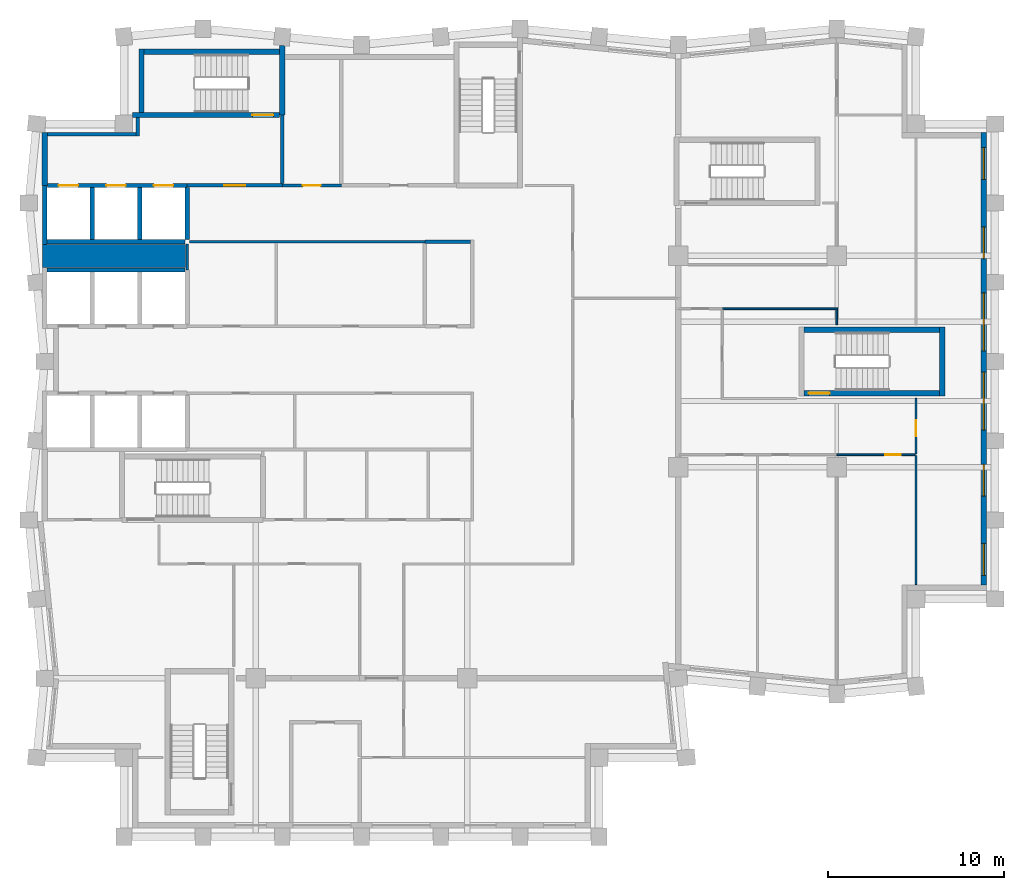
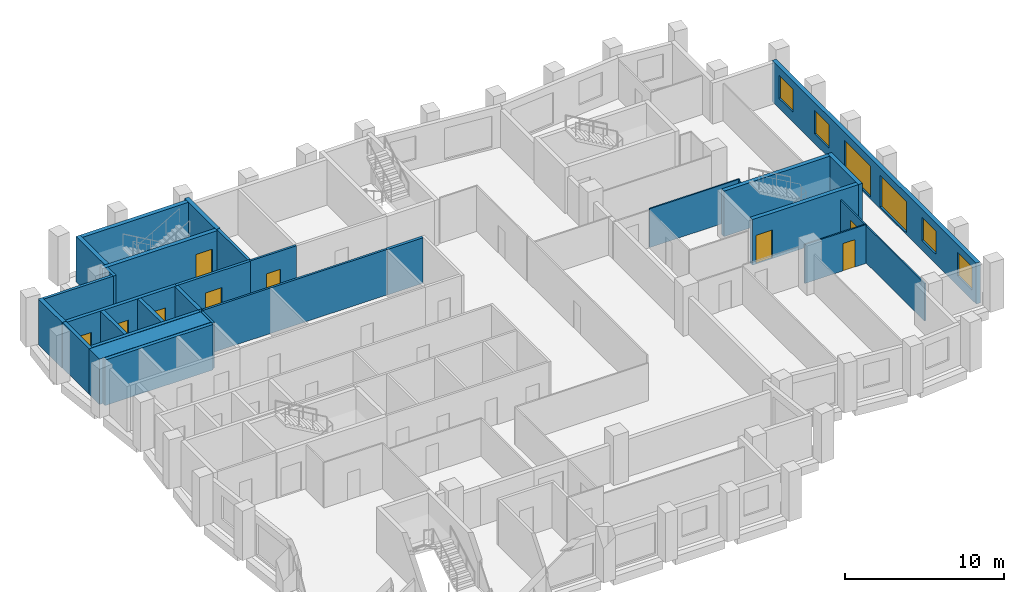
# One storey, part 5 of 8: 30 walls, 9 doors, 6 windows, 15 openings.
"""IFC4 building model written with IfcOpenShell, lengths in metres."""

from ifc_helpers import new_model, si_unit, direction, frame, frame_2d, origin, place, context, subcontext, project, spatial, rectangle, extrude, material, layer, layer_set, type_object, element, fill, save


model = new_model("IFC4")

# Units and contexts
model_context = context("Model", 3, precision=1e-05, world=origin(), true_north=direction((0.0, 1.0)))
body_context = subcontext(model_context, "Body", "Model", "MODEL_VIEW")
ifc_project = project(units=[si_unit("LENGTHUNIT", "METRE"), si_unit("AREAUNIT", "SQUARE_METRE"), si_unit("VOLUMEUNIT", "CUBIC_METRE"), si_unit("PLANEANGLEUNIT", "RADIAN"), si_unit("MASSUNIT", "GRAM", prefix="KILO")], contexts=[model_context])

# Site, building, storey
site_placement = place(None, origin())
site = spatial("IfcSite", under=ifc_project, at=site_placement, CompositionType="ELEMENT")
building_placement = place(site_placement, origin())
building = spatial("IfcBuilding", under=site, at=building_placement, Name="Brondeck Convention Tower", CompositionType="ELEMENT")
storey_placement = place(building_placement, frame((0.0, 0.0, 221.60009765625)))
storey = spatial("IfcBuildingStorey", under=building, at=storey_placement, Name="L54", CompositionType="ELEMENT", Elevation=221.60009765625)

# Walls
ifc_material_1 = material(Name="Concrete C50/60", Category="concrete")
ifc_layer_1 = layer(ifc_material_1, 0.300048828125)
ifc_layer_set_1 = layer_set([ifc_layer_1], Name="Core outer wall 300 Concrete C50/60")
wall_type_1 = type_object("IfcWallType", Name="Core outer wall 300 Concrete C50/60", PredefinedType="SHEAR", material=ifc_layer_set_1)
wall_1_placement = place(storey_placement, frame((0.0, 55.0, 0.0), z_axis=(0.0, 0.0, 1.0), x_axis=(0.0, 1.0, 0.0)))
element("IfcWall", 1, at=wall_1_placement, inside=storey, type_object=wall_type_1, Name="L54 core wall", PredefinedType="SHEAR", context=body_context, shape_type="SweptSolid", body=[
    extrude(rectangle(XDim=3.0, YDim=0.300048828125, at=frame_2d((1.5, 0.0))), origin(), (0.0, 0.0, 1.0), 3.5),
])
ifc_material_2 = material(Name="Fire-rated gypsum board partition")
ifc_layer_2 = layer(ifc_material_2, 0.14990234375)
ifc_layer_set_2 = layer_set([ifc_layer_2], Name="Core partition 150 EI 60")
wall_type_2 = type_object("IfcWallType", Name="Core partition 150 EI 60", PredefinedType="PARTITIONING", material=ifc_layer_set_2)
wall_2_placement = place(storey_placement, frame((8.22509765625, 51.800048828125, 0.0), z_axis=(0.0, 0.0, 1.0), x_axis=(1.0, 0.0, 0.0)))
element("IfcWall", 2, at=wall_2_placement, inside=storey, type_object=wall_type_2, Name="L54 core wall", PredefinedType="PARTITIONING", context=body_context, shape_type="SweptSolid", body=[
    extrude(rectangle(XDim=13.375, YDim=0.14990234375, at=frame_2d((6.6875, 0.0))), origin(), (0.0, 0.0, 1.0), 3.5),
])

# Wall, opening, door
wall_3_placement = place(storey_placement, frame((13.5, 55.0, 0.0), z_axis=(0.0, 0.0, 1.0), x_axis=(1.0, 0.0, 0.0)))
wall_3 = element("IfcWall", 3, at=wall_3_placement, inside=storey, type_object=wall_type_2, Name="L54 core wall", PredefinedType="PARTITIONING", context=body_context, shape_type="SweptSolid", body=[
    extrude(rectangle(XDim=3.35009765625, YDim=0.14990234375, at=frame_2d((1.675048828125, 0.0))), origin(), (0.0, 0.0, 1.0), 3.5),
])
opening_1_placement = place(wall_3_placement, frame((1.175048828125, 0.0, 0.0)))
opening_1 = element("IfcOpeningElement", 4, at=opening_1_placement, cuts=wall_3, Name="Opening C30-12", PredefinedType="OPENING", context=body_context, shape_type="SweptSolid", body=[
    extrude(rectangle(XDim=1.0, YDim=2.10009765625, at=frame_2d((0.5, 1.050048828125))), frame((0.0, 0.0849609375, 0.0), z_axis=(0.0, -1.0, 0.0), x_axis=(1.0, 0.0, 0.0)), (0.0, 0.0, 1.0), 0.169921875),
])
ifc_material_3 = material(Name="Steel fire door", Category="steel")
door_type_1 = type_object("IfcDoorType", Name="Room door 1000x2100 EI 60", OperationType="NOTDEFINED", PredefinedType="DOOR", material=ifc_material_3)
door_1_placement = place(opening_1_placement, origin())
door_1 = element("IfcDoor", 5, at=door_1_placement, inside=storey, type_object=door_type_1, Name="L54 Room door NE-1", OperationType="SINGLE_SWING_LEFT", OverallHeight=2.10009765625, OverallWidth=1.0, PredefinedType="DOOR", context=body_context, shape_type="SweptSolid", body=[
    extrude(rectangle(XDim=1.0, YDim=2.10009765625, at=frame_2d((0.5, 1.050048828125))), frame((0.0, 0.02490234375, 0.0), z_axis=(0.0, -1.0, 0.0), x_axis=(1.0, 0.0, 0.0)), (0.0, 0.0, 1.0), 0.050048828125),
])
fill(opening_1, door_1)

# Walls
wall_4_placement = place(storey_placement, frame((8.10009765625, 50.199951171875, 0.0), z_axis=(0.0, 0.0, 1.0), x_axis=(0.0, 1.0, 0.0)))
element("IfcWall", 6, at=wall_4_placement, inside=storey, type_object=wall_type_2, Name="L54 core wall", PredefinedType="PARTITIONING", context=body_context, shape_type="SweptSolid", body=[
    extrude(rectangle(XDim=1.47509765625, YDim=0.14990234375, at=frame_2d((0.737548828125, 0.0))), origin(), (0.0, 0.0, 1.0), 3.5),
])
ifc_layer_3 = layer(ifc_material_1, 1.300048828125)
ifc_layer_set_3 = layer_set([ifc_layer_3], Name="Core shear wall 1300 Concrete C50/60")
wall_type_3 = type_object("IfcWallType", Name="Core shear wall 1300 Concrete C50/60", PredefinedType="SHEAR", material=ifc_layer_set_3)
wall_5_placement = place(storey_placement, frame((-0.125, 51.0, 0.0), z_axis=(0.0, 0.0, 1.0), x_axis=(1.0, 0.0, 0.0)))
element("IfcWall", 7, at=wall_5_placement, inside=storey, type_object=wall_type_3, Name="L54 core wall", PredefinedType="SHEAR", context=body_context, shape_type="SweptSolid", body=[
    extrude(rectangle(XDim=8.125, YDim=1.300048828125, at=frame_2d((4.0625, 0.0))), origin(), (0.0, 0.0, 1.0), 3.5),
])

# Wall, openings, windows
ifc_material_4 = material(Name="Precast concrete C50/60 bronze finish", Category="concrete")
ifc_layer_4 = layer(ifc_material_4, 0.070068359375, Name="Bronze precast facing")
ifc_material_5 = material(Name="Mineral wool")
ifc_layer_5 = layer(ifc_material_5, 0.159912109375, Name="Insulation")
ifc_material_6 = material(Name="Concrete C35/45", Category="concrete")
ifc_layer_6 = layer(ifc_material_6, 0.070068359375, Name="Backing")
ifc_layer_set_4 = layer_set([ifc_layer_4, ifc_layer_5, ifc_layer_6], Name="External infill wall, precast concrete C50/60 bronze facing")
wall_type_4 = type_object("IfcWallType", Name="External infill wall, precast concrete C50/60 bronze facing", PredefinedType="SOLIDWALL", material=ifc_layer_set_4)
wall_6_placement = place(storey_placement, frame((53.35009765625, 58.0, 0.0), z_axis=(0.0, 0.0, 1.0), x_axis=(0.0, -1.0, 0.0)))
wall_6 = element("IfcWall", 8, at=wall_6_placement, inside=storey, type_object=wall_type_4, Name="ENV-EW-L54-P2-A-E54-01", PredefinedType="SOLIDWALL", context=body_context, shape_type="SweptSolid", body=[
    extrude(rectangle(XDim=25.701904296875, YDim=0.300048828125, at=frame_2d((12.85107421875, 0.0))), origin(), (0.0, 0.0, 1.0), 3.14990234375),
])
opening_2_placement = place(wall_6_placement, frame((0.85009765625, 0.0, 0.75)))
opening_2 = element("IfcOpeningElement", 9, at=opening_2_placement, cuts=wall_6, Name="Opening W10", PredefinedType="OPENING", context=body_context, shape_type="SweptSolid", body=[
    extrude(rectangle(XDim=1.800048828125, YDim=1.800048828125, at=frame_2d((0.89990234375, 0.89990234375))), frame((0.0, 0.159912109375, 0.0), z_axis=(0.0, -1.0, 0.0), x_axis=(1.0, 0.0, 0.0)), (0.0, 0.0, 1.0), 0.320068359375),
])
opening_3_placement = place(wall_6_placement, frame((5.35009765625, 0.0, 0.75)))
opening_3 = element("IfcOpeningElement", 10, at=opening_3_placement, cuts=wall_6, Name="Opening W10", PredefinedType="OPENING", context=body_context, shape_type="SweptSolid", body=[
    extrude(rectangle(XDim=1.800048828125, YDim=1.800048828125, at=frame_2d((0.89990234375, 0.89990234375))), frame((0.0, 0.159912109375, 0.0), z_axis=(0.0, -1.0, 0.0), x_axis=(1.0, 0.0, 0.0)), (0.0, 0.0, 1.0), 0.320068359375),
])
opening_4_placement = place(wall_6_placement, frame((9.10009765625, 0.0, 0.14990234375)))
opening_4 = element("IfcOpeningElement", 11, at=opening_4_placement, cuts=wall_6, Name="Opening W9", PredefinedType="OPENING", context=body_context, shape_type="SweptSolid", body=[
    extrude(rectangle(XDim=3.300048828125, YDim=2.39990234375, at=frame_2d((1.64990234375, 1.199951171875))), frame((0.0, 0.159912109375, 0.0), z_axis=(0.0, -1.0, 0.0), x_axis=(1.0, 0.0, 0.0)), (0.0, 0.0, 1.0), 0.320068359375),
])
opening_5_placement = place(wall_6_placement, frame((13.60009765625, 0.0, 0.14990234375)))
opening_5 = element("IfcOpeningElement", 12, at=opening_5_placement, cuts=wall_6, Name="Opening W9", PredefinedType="OPENING", context=body_context, shape_type="SweptSolid", body=[
    extrude(rectangle(XDim=3.300048828125, YDim=2.39990234375, at=frame_2d((1.64990234375, 1.199951171875))), frame((0.0, 0.159912109375, 0.0), z_axis=(0.0, -1.0, 0.0), x_axis=(1.0, 0.0, 0.0)), (0.0, 0.0, 1.0), 0.320068359375),
])
opening_6_placement = place(wall_6_placement, frame((18.85009765625, 0.0, 0.75)))
opening_6 = element("IfcOpeningElement", 13, at=opening_6_placement, cuts=wall_6, Name="Opening W10", PredefinedType="OPENING", context=body_context, shape_type="SweptSolid", body=[
    extrude(rectangle(XDim=1.800048828125, YDim=1.800048828125, at=frame_2d((0.89990234375, 0.89990234375))), frame((0.0, 0.159912109375, 0.0), z_axis=(0.0, -1.0, 0.0), x_axis=(1.0, 0.0, 0.0)), (0.0, 0.0, 1.0), 0.320068359375),
])
opening_7_placement = place(wall_6_placement, frame((23.35009765625, 0.0, 0.75)))
opening_7 = element("IfcOpeningElement", 14, at=opening_7_placement, cuts=wall_6, Name="Opening W10", PredefinedType="OPENING", context=body_context, shape_type="SweptSolid", body=[
    extrude(rectangle(XDim=1.800048828125, YDim=1.800048828125, at=frame_2d((0.89990234375, 0.89990234375))), frame((0.0, 0.159912109375, 0.0), z_axis=(0.0, -1.0, 0.0), x_axis=(1.0, 0.0, 0.0)), (0.0, 0.0, 1.0), 0.320068359375),
])
ifc_material_7 = material(Name="Bronze tinted double glazing", Category="glass")
window_type_1 = type_object("IfcWindowType", Name="Glazed flute window, bronze tinted", PartitioningType="SINGLE_PANEL", PredefinedType="WINDOW", material=ifc_material_7)
window_1_placement = place(opening_4_placement, origin())
window_1 = element("IfcWindow", 15, at=window_1_placement, inside=storey, type_object=window_type_1, Name="ENV-WN-L54-P2-A-E54-04", OverallHeight=2.39990234375, OverallWidth=3.300048828125, PartitioningType="SINGLE_PANEL", PredefinedType="WINDOW", context=body_context, shape_type="SweptSolid", body=[
    extrude(rectangle(XDim=3.300048828125, YDim=2.39990234375, at=frame_2d((1.64990234375, 1.199951171875))), frame((0.0, 0.030029296875, 0.0), z_axis=(0.0, -1.0, 0.0), x_axis=(1.0, 0.0, 0.0)), (0.0, 0.0, 1.0), 0.06005859375),
])
fill(opening_4, window_1)
window_2_placement = place(opening_5_placement, origin())
window_2 = element("IfcWindow", 16, at=window_2_placement, inside=storey, type_object=window_type_1, Name="ENV-WN-L54-P2-A-E54-03", OverallHeight=2.39990234375, OverallWidth=3.300048828125, PartitioningType="SINGLE_PANEL", PredefinedType="WINDOW", context=body_context, shape_type="SweptSolid", body=[
    extrude(rectangle(XDim=3.300048828125, YDim=2.39990234375, at=frame_2d((1.64990234375, 1.199951171875))), frame((0.0, 0.030029296875, 0.0), z_axis=(0.0, -1.0, 0.0), x_axis=(1.0, 0.0, 0.0)), (0.0, 0.0, 1.0), 0.06005859375),
])
fill(opening_5, window_2)
window_type_2 = type_object("IfcWindowType", Name="Punched window, bronze tinted", PartitioningType="SINGLE_PANEL", PredefinedType="WINDOW", material=ifc_material_7)
window_3_placement = place(opening_2_placement, origin())
window_3 = element("IfcWindow", 17, at=window_3_placement, inside=storey, type_object=window_type_2, Name="ENV-WN-L54-P2-A-E54-06", OverallHeight=1.800048828125, OverallWidth=1.800048828125, PartitioningType="SINGLE_PANEL", PredefinedType="WINDOW", context=body_context, shape_type="SweptSolid", body=[
    extrude(rectangle(XDim=1.800048828125, YDim=1.800048828125, at=frame_2d((0.89990234375, 0.89990234375))), frame((0.0, 0.030029296875, 0.0), z_axis=(0.0, -1.0, 0.0), x_axis=(1.0, 0.0, 0.0)), (0.0, 0.0, 1.0), 0.06005859375),
])
fill(opening_2, window_3)
window_4_placement = place(opening_3_placement, origin())
window_4 = element("IfcWindow", 18, at=window_4_placement, inside=storey, type_object=window_type_2, Name="ENV-WN-L54-P2-A-E54-05", OverallHeight=1.800048828125, OverallWidth=1.800048828125, PartitioningType="SINGLE_PANEL", PredefinedType="WINDOW", context=body_context, shape_type="SweptSolid", body=[
    extrude(rectangle(XDim=1.800048828125, YDim=1.800048828125, at=frame_2d((0.89990234375, 0.89990234375))), frame((0.0, 0.030029296875, 0.0), z_axis=(0.0, -1.0, 0.0), x_axis=(1.0, 0.0, 0.0)), (0.0, 0.0, 1.0), 0.06005859375),
])
fill(opening_3, window_4)
window_5_placement = place(opening_6_placement, origin())
window_5 = element("IfcWindow", 19, at=window_5_placement, inside=storey, type_object=window_type_2, Name="ENV-WN-L54-P2-A-E54-02", OverallHeight=1.800048828125, OverallWidth=1.800048828125, PartitioningType="SINGLE_PANEL", PredefinedType="WINDOW", context=body_context, shape_type="SweptSolid", body=[
    extrude(rectangle(XDim=1.800048828125, YDim=1.800048828125, at=frame_2d((0.89990234375, 0.89990234375))), frame((0.0, 0.030029296875, 0.0), z_axis=(0.0, -1.0, 0.0), x_axis=(1.0, 0.0, 0.0)), (0.0, 0.0, 1.0), 0.06005859375),
])
fill(opening_6, window_5)
window_6_placement = place(opening_7_placement, origin())
window_6 = element("IfcWindow", 20, at=window_6_placement, inside=storey, type_object=window_type_2, Name="ENV-WN-L54-P2-A-E54-01", OverallHeight=1.800048828125, OverallWidth=1.800048828125, PartitioningType="SINGLE_PANEL", PredefinedType="WINDOW", context=body_context, shape_type="SweptSolid", body=[
    extrude(rectangle(XDim=1.800048828125, YDim=1.800048828125, at=frame_2d((0.89990234375, 0.89990234375))), frame((0.0, 0.030029296875, 0.0), z_axis=(0.0, -1.0, 0.0), x_axis=(1.0, 0.0, 0.0)), (0.0, 0.0, 1.0), 0.06005859375),
])
fill(opening_7, window_6)

# Wall, opening, door
ifc_layer_7 = layer(ifc_material_2, 0.199951171875)
ifc_layer_set_5 = layer_set([ifc_layer_7], Name="Firefighting lobby wall 200 EI 120")
wall_type_5 = type_object("IfcWallType", Name="Firefighting lobby wall 200 EI 120", PredefinedType="PARTITIONING", material=ifc_layer_set_5)
wall_7_placement = place(storey_placement, frame((8.10009765625, 55.0, 0.0), z_axis=(0.0, 0.0, 1.0), x_axis=(1.0, 0.0, 0.0)))
wall_7 = element("IfcWall", 21, at=wall_7_placement, inside=storey, type_object=wall_type_5, Name="L54 core wall", PredefinedType="PARTITIONING", context=body_context, shape_type="SweptSolid", body=[
    extrude(rectangle(XDim=5.39990234375, YDim=0.199951171875, at=frame_2d((2.699951171875, 0.0))), origin(), (0.0, 0.0, 1.0), 3.5),
])
opening_8_placement = place(wall_7_placement, frame((2.10009765625, 0.0, 0.0)))
opening_8 = element("IfcOpeningElement", 22, at=opening_8_placement, cuts=wall_7, Name="Opening C30-01", PredefinedType="OPENING", context=body_context, shape_type="SweptSolid", body=[
    extrude(rectangle(XDim=1.199951171875, YDim=2.199951171875, at=frame_2d((0.60009765625, 1.10009765625))), frame((0.0, 0.10986328125, 0.0), z_axis=(0.0, -1.0, 0.0), x_axis=(1.0, 0.0, 0.0)), (0.0, 0.0, 1.0), 0.219970703125),
])
door_type_2 = type_object("IfcDoorType", Name="Firefighting lobby door 1200x2200 EI 120", OperationType="NOTDEFINED", PredefinedType="DOOR", material=ifc_material_3)
door_2_placement = place(opening_8_placement, origin())
door_2 = element("IfcDoor", 23, at=door_2_placement, inside=storey, type_object=door_type_2, Name="L54 Firefighting lobby door FFL-1", OperationType="SINGLE_SWING_RIGHT", OverallHeight=2.199951171875, OverallWidth=1.199951171875, PredefinedType="DOOR", context=body_context, shape_type="SweptSolid", body=[
    extrude(rectangle(XDim=1.199951171875, YDim=2.199951171875, at=frame_2d((0.60009765625, 1.10009765625))), frame((0.0, 0.02490234375, 0.0), z_axis=(0.0, -1.0, 0.0), x_axis=(1.0, 0.0, 0.0)), (0.0, 0.0, 1.0), 0.050048828125),
])
fill(opening_8, door_2)

# Walls
wall_8_placement = place(storey_placement, frame((0.14990234375, 57.89990234375, 0.0), z_axis=(0.0, 0.0, 1.0), x_axis=(1.0, 0.0, 0.0)))
element("IfcWall", 24, at=wall_8_placement, inside=storey, type_object=wall_type_5, Name="L54 core wall", PredefinedType="PARTITIONING", context=body_context, shape_type="SweptSolid", body=[
    extrude(rectangle(XDim=5.050048828125, YDim=0.199951171875, at=frame_2d((2.52490234375, 0.0))), origin(), (0.0, 0.0, 1.0), 3.5),
])
wall_9_placement = place(storey_placement, frame((5.300048828125, 57.800048828125, 0.0), z_axis=(0.0, 0.0, 1.0), x_axis=(0.0, 1.0, 0.0)))
element("IfcWall", 25, at=wall_9_placement, inside=storey, type_object=wall_type_5, Name="L54 core wall", PredefinedType="PARTITIONING", context=body_context, shape_type="SweptSolid", body=[
    extrude(rectangle(XDim=1.050048828125, YDim=0.199951171875, at=frame_2d((0.52490234375, 0.0))), origin(), (0.0, 0.0, 1.0), 3.5),
])
wall_10_placement = place(storey_placement, frame((13.5, 55.10009765625, 0.0), z_axis=(0.0, 0.0, 1.0), x_axis=(0.0, 1.0, 0.0)))
element("IfcWall", 26, at=wall_10_placement, inside=storey, type_object=wall_type_5, Name="L54 core wall", PredefinedType="PARTITIONING", context=body_context, shape_type="SweptSolid", body=[
    extrude(rectangle(XDim=3.89990234375, YDim=0.199951171875, at=frame_2d((1.949951171875, 0.0))), origin(), (0.0, 0.0, 1.0), 3.5),
])
ifc_layer_8 = layer(ifc_material_1, 0.25)
ifc_layer_set_6 = layer_set([ifc_layer_8], Name="Lift shaft wall 250 Concrete C50/60")
wall_type_6 = type_object("IfcWallType", Name="Lift shaft wall 250 Concrete C50/60", PredefinedType="SHEAR", material=ifc_layer_set_6)
for number, where, z_axis, x_axis, name in (
    (27, (0.125, 50.199951171875, 0.0), (0.0, 0.0, 1.0), (1.0, 0.0, 0.0), "L54 core wall"),
    (28, (0.125, 51.800048828125, 0.0), (0.0, 0.0, 1.0), (1.0, 0.0, 0.0), "L54 core wall"),
):
    element("IfcWall", number, at=place(storey_placement, frame(where, z_axis=z_axis, x_axis=x_axis)), inside=storey, type_object=wall_type_6, Name=name, PredefinedType="SHEAR", context=body_context, shape_type="SweptSolid", body=[
        extrude(rectangle(XDim=7.85009765625, YDim=0.25, at=frame_2d((3.925048828125, 0.0))), origin(), (0.0, 0.0, 1.0), 3.5),
    ])

# Wall, openings, doors
wall_11_placement = place(storey_placement, frame((0.14990234375, 55.0, 0.0), z_axis=(0.0, 0.0, 1.0), x_axis=(1.0, 0.0, 0.0)))
wall_11 = element("IfcWall", 29, at=wall_11_placement, inside=storey, type_object=wall_type_6, Name="L54 core wall", PredefinedType="SHEAR", context=body_context, shape_type="SweptSolid", body=[
    extrude(rectangle(XDim=7.9501953125, YDim=0.25, at=frame_2d((3.97509765625, 0.0))), origin(), (0.0, 0.0, 1.0), 3.5),
])
opening_9_placement = place(wall_11_placement, frame((0.64990234375, 0.0, 0.0)))
opening_9 = element("IfcOpeningElement", 30, at=opening_9_placement, cuts=wall_11, Name="Opening C30-20", PredefinedType="OPENING", context=body_context, shape_type="SweptSolid", body=[
    extrude(rectangle(XDim=1.10009765625, YDim=2.10009765625, at=frame_2d((0.550048828125, 1.050048828125))), frame((0.0, 0.135009765625, 0.0), z_axis=(0.0, -1.0, 0.0), x_axis=(1.0, 0.0, 0.0)), (0.0, 0.0, 1.0), 0.27001953125),
])
opening_10_placement = place(wall_11_placement, frame((3.35009765625, 0.0, 0.0)))
opening_10 = element("IfcOpeningElement", 31, at=opening_10_placement, cuts=wall_11, Name="Opening C30-21", PredefinedType="OPENING", context=body_context, shape_type="SweptSolid", body=[
    extrude(rectangle(XDim=1.10009765625, YDim=2.10009765625, at=frame_2d((0.550048828125, 1.050048828125))), frame((0.0, 0.135009765625, 0.0), z_axis=(0.0, -1.0, 0.0), x_axis=(1.0, 0.0, 0.0)), (0.0, 0.0, 1.0), 0.27001953125),
])
opening_11_placement = place(wall_11_placement, frame((6.050048828125, 0.0, 0.0)))
opening_11 = element("IfcOpeningElement", 32, at=opening_11_placement, cuts=wall_11, Name="Opening C30-22", PredefinedType="OPENING", context=body_context, shape_type="SweptSolid", body=[
    extrude(rectangle(XDim=1.10009765625, YDim=2.10009765625, at=frame_2d((0.550048828125, 1.050048828125))), frame((0.0, 0.135009765625, 0.0), z_axis=(0.0, -1.0, 0.0), x_axis=(1.0, 0.0, 0.0)), (0.0, 0.0, 1.0), 0.27001953125),
])
ifc_material_8 = material(Name="Stainless steel lift door", Category="steel")
door_type_3 = type_object("IfcDoorType", Name="Lift landing door 1100x2100 EI 180", OperationType="DOUBLE_DOOR_SLIDING", PredefinedType="DOOR", material=ifc_material_8)
door_3_placement = place(opening_9_placement, origin())
door_3 = element("IfcDoor", 33, at=door_3_placement, inside=storey, type_object=door_type_3, Name="L54 Lift landing door FF1", OperationType="DOUBLE_DOOR_SLIDING", OverallHeight=2.10009765625, OverallWidth=1.10009765625, PredefinedType="DOOR", context=body_context, shape_type="SweptSolid", body=[
    extrude(rectangle(XDim=1.10009765625, YDim=2.10009765625, at=frame_2d((0.550048828125, 1.050048828125))), frame((0.0, 0.02490234375, 0.0), z_axis=(0.0, -1.0, 0.0), x_axis=(1.0, 0.0, 0.0)), (0.0, 0.0, 1.0), 0.050048828125),
])
fill(opening_9, door_3)
door_4_placement = place(opening_10_placement, origin())
door_4 = element("IfcDoor", 34, at=door_4_placement, inside=storey, type_object=door_type_3, Name="L54 Lift landing door FF2", OperationType="DOUBLE_DOOR_SLIDING", OverallHeight=2.10009765625, OverallWidth=1.10009765625, PredefinedType="DOOR", context=body_context, shape_type="SweptSolid", body=[
    extrude(rectangle(XDim=1.10009765625, YDim=2.10009765625, at=frame_2d((0.550048828125, 1.050048828125))), frame((0.0, 0.02490234375, 0.0), z_axis=(0.0, -1.0, 0.0), x_axis=(1.0, 0.0, 0.0)), (0.0, 0.0, 1.0), 0.050048828125),
])
fill(opening_10, door_4)
door_5_placement = place(opening_11_placement, origin())
door_5 = element("IfcDoor", 35, at=door_5_placement, inside=storey, type_object=door_type_3, Name="L54 Lift landing door FF3", OperationType="DOUBLE_DOOR_SLIDING", OverallHeight=2.10009765625, OverallWidth=1.10009765625, PredefinedType="DOOR", context=body_context, shape_type="SweptSolid", body=[
    extrude(rectangle(XDim=1.10009765625, YDim=2.10009765625, at=frame_2d((0.550048828125, 1.050048828125))), frame((0.0, 0.02490234375, 0.0), z_axis=(0.0, -1.0, 0.0), x_axis=(1.0, 0.0, 0.0)), (0.0, 0.0, 1.0), 0.050048828125),
])
fill(opening_11, door_5)

# Walls
wall_12_placement = place(storey_placement, frame((0.0, 51.64990234375, 0.0), z_axis=(0.0, 0.0, 1.0), x_axis=(0.0, 1.0, 0.0)))
element("IfcWall", 36, at=wall_12_placement, inside=storey, type_object=wall_type_6, Name="L54 core wall", PredefinedType="SHEAR", context=body_context, shape_type="SweptSolid", body=[
    extrude(rectangle(XDim=3.35009765625, YDim=0.25, at=frame_2d((1.675048828125, 0.0))), origin(), (0.0, 0.0, 1.0), 3.5),
])
for number, where, z_axis, x_axis, name in (
    (37, (2.699951171875, 51.925048828125, 0.0), (0.0, 0.0, 1.0), (0.0, 1.0, 0.0), "L54 core wall"),
    (38, (5.39990234375, 51.925048828125, 0.0), (0.0, 0.0, 1.0), (0.0, 1.0, 0.0), "L54 core wall"),
    (39, (8.10009765625, 51.925048828125, 0.0), (0.0, 0.0, 1.0), (0.0, 1.0, 0.0), "L54 core wall"),
):
    element("IfcWall", number, at=place(storey_placement, frame(where, z_axis=z_axis, x_axis=x_axis)), inside=storey, type_object=wall_type_6, Name=name, PredefinedType="SHEAR", context=body_context, shape_type="SweptSolid", body=[
        extrude(rectangle(XDim=2.949951171875, YDim=0.25, at=frame_2d((1.47509765625, 0.0))), origin(), (0.0, 0.0, 1.0), 3.5),
    ])
ifc_layer_9 = layer(ifc_material_2, 0.199951171875)
ifc_layer_set_7 = layer_set([ifc_layer_9], Name="Riser wall 200 EI 120")
wall_type_7 = type_object("IfcWallType", Name="Riser wall 200 EI 120", PredefinedType="PARTITIONING", material=ifc_layer_set_7)
wall_13_placement = place(storey_placement, frame((21.60009765625, 51.800048828125, 0.0), z_axis=(0.0, 0.0, 1.0), x_axis=(1.0, 0.0, 0.0)))
element("IfcWall", 40, at=wall_13_placement, inside=storey, type_object=wall_type_7, Name="L54 core wall", PredefinedType="PARTITIONING", context=body_context, shape_type="SweptSolid", body=[
    extrude(rectangle(XDim=2.599853515625, YDim=0.199951171875, at=frame_2d((1.2998046875, 0.0))), origin(), (0.0, 0.0, 1.0), 3.5),
])
ifc_material_9 = material(Name="Gypsum board partition on steel studs", Category="steel")
ifc_layer_10 = layer(ifc_material_9, 0.10009765625)
ifc_layer_set_8 = layer_set([ifc_layer_10], Name="Room partition 100")
wall_type_8 = type_object("IfcWallType", Name="Room partition 100", PredefinedType="PARTITIONING", material=ifc_layer_set_8)
wall_14_placement = place(storey_placement, frame((49.5, 32.320068359375, 0.0), z_axis=(0.0, 0.0, 1.0), x_axis=(0.0, 1.0, 0.0)))
element("IfcWall", 41, at=wall_14_placement, inside=storey, type_object=wall_type_8, Name="FLR-L54-W023", PredefinedType="PARTITIONING", context=body_context, shape_type="SweptSolid", body=[
    extrude(rectangle(XDim=7.329833984375, YDim=0.10009765625, at=frame_2d((3.6650390625, 0.0))), origin(), (0.0, 0.0, 1.0), 2.8798828125),
])

# Wall, opening, door
wall_15_placement = place(storey_placement, frame((49.449951171875, 39.699951171875, 0.0), z_axis=(0.0, 0.0, 1.0), x_axis=(-1.0, 0.0, 0.0)))
wall_15 = element("IfcWall", 42, at=wall_15_placement, inside=storey, type_object=wall_type_8, Name="FLR-L54-W034", PredefinedType="PARTITIONING", context=body_context, shape_type="SweptSolid", body=[
    extrude(rectangle(XDim=4.449951171875, YDim=0.10009765625, at=frame_2d((2.22509765625, 0.0))), origin(), (0.0, 0.0, 1.0), 2.97998046875),
])
opening_12_placement = place(wall_15_placement, frame((0.804443359375, 0.0, 0.0)))
opening_12 = element("IfcOpeningElement", 43, at=opening_12_placement, cuts=wall_15, Name="Opening OF-M-006", PredefinedType="OPENING", context=body_context, shape_type="SweptSolid", body=[
    extrude(rectangle(XDim=0.89990234375, YDim=2.10009765625, at=frame_2d((0.449951171875, 1.050048828125))), frame((0.0, 0.06005859375, 0.0), z_axis=(0.0, -1.0, 0.0), x_axis=(1.0, 0.0, 0.0)), (0.0, 0.0, 1.0), 0.1201171875),
])
ifc_material_10 = material(Name="Solid timber door leaf", Category="wood")
door_type_4 = type_object("IfcDoorType", Name="Single door 900", OperationType="NOTDEFINED", PredefinedType="DOOR", material=ifc_material_10)
door_6_placement = place(opening_12_placement, origin())
door_6 = element("IfcDoor", 44, at=door_6_placement, inside=storey, type_object=door_type_4, Name="Door OF-M-006", OperationType="SINGLE_SWING_LEFT", OverallHeight=2.10009765625, OverallWidth=0.89990234375, PredefinedType="DOOR", context=body_context, shape_type="SweptSolid", body=[
    extrude(rectangle(XDim=0.89990234375, YDim=2.10009765625, at=frame_2d((0.449951171875, 1.050048828125))), frame((0.0, 0.02490234375, 0.0), z_axis=(0.0, -1.0, 0.0), x_axis=(1.0, 0.0, 0.0)), (0.0, 0.0, 1.0), 0.050048828125),
])
fill(opening_12, door_6)

wall_16_placement = place(storey_placement, frame((49.5, 42.89990234375, 0.0), z_axis=(0.0, 0.0, 1.0), x_axis=(0.0, -1.0, 0.0)))
wall_16 = element("IfcWall", 45, at=wall_16_placement, inside=storey, type_object=wall_type_8, Name="FLR-L54-W037", PredefinedType="PARTITIONING", context=body_context, shape_type="SweptSolid", body=[
    extrude(rectangle(XDim=3.14990234375, YDim=0.10009765625, at=frame_2d((1.574951171875, 0.0))), origin(), (0.0, 0.0, 1.0), 2.8798828125),
])
opening_13_placement = place(wall_16_placement, frame((1.25, 0.0, 0.0)))
opening_13 = element("IfcOpeningElement", 46, at=opening_13_placement, cuts=wall_16, Name="Opening OF-M-003", PredefinedType="OPENING", context=body_context, shape_type="SweptSolid", body=[
    extrude(rectangle(XDim=0.89990234375, YDim=2.10009765625, at=frame_2d((0.449951171875, 1.050048828125))), frame((0.0, 0.06005859375, 0.0), z_axis=(0.0, -1.0, 0.0), x_axis=(1.0, 0.0, 0.0)), (0.0, 0.0, 1.0), 0.1201171875),
])
door_7_placement = place(opening_13_placement, origin())
door_7 = element("IfcDoor", 47, at=door_7_placement, inside=storey, type_object=door_type_4, Name="Door OF-M-003", OperationType="SINGLE_SWING_LEFT", OverallHeight=2.10009765625, OverallWidth=0.89990234375, PredefinedType="DOOR", context=body_context, shape_type="SweptSolid", body=[
    extrude(rectangle(XDim=0.89990234375, YDim=2.10009765625, at=frame_2d((0.449951171875, 1.050048828125))), frame((0.0, 0.02490234375, 0.0), z_axis=(0.0, -1.0, 0.0), x_axis=(1.0, 0.0, 0.0)), (0.0, 0.0, 1.0), 0.050048828125),
])
fill(opening_13, door_7)

# Walls
wall_17_placement = place(storey_placement, frame((45.0, 47.949951171875, 0.0), z_axis=(0.0, 0.0, 1.0), x_axis=(0.0, -1.0, 0.0)))
element("IfcWall", 48, at=wall_17_placement, inside=storey, type_object=wall_type_8, Name="FLR-L54-W040", PredefinedType="PARTITIONING", context=body_context, shape_type="SweptSolid", body=[
    extrude(rectangle(XDim=0.849853515625, YDim=0.10009765625, at=frame_2d((0.4248046875, 0.0))), origin(), (0.0, 0.0, 1.0), 2.8798828125),
])
wall_18_placement = place(storey_placement, frame((38.5, 48.0, 0.0), z_axis=(0.0, 0.0, 1.0), x_axis=(1.0, 0.0, 0.0)))
element("IfcWall", 49, at=wall_18_placement, inside=storey, type_object=wall_type_8, Name="FLR-L54-W042", PredefinedType="PARTITIONING", context=body_context, shape_type="SweptSolid", body=[
    extrude(rectangle(XDim=6.550048828125, YDim=0.10009765625, at=frame_2d((3.27490234375, 0.0))), origin(), (0.0, 0.0, 1.0), 2.97998046875),
])

# Wall, opening, door
ifc_layer_11 = layer(ifc_material_1, 0.300048828125)
ifc_layer_set_9 = layer_set([ifc_layer_11], Name="Stair enclosure wall 300 Concrete C50/60")
wall_type_9 = type_object("IfcWallType", Name="Stair enclosure wall 300 Concrete C50/60", PredefinedType="SHEAR", material=ifc_layer_set_9)
wall_19_placement = place(storey_placement, frame((43.14990234375, 43.199951171875, 0.0), z_axis=(0.0, 0.0, 1.0), x_axis=(1.0, 0.0, 0.0)))
wall_19 = element("IfcWall", 50, at=wall_19_placement, inside=storey, type_object=wall_type_9, Name="L54 core wall", PredefinedType="SHEAR", context=body_context, shape_type="SweptSolid", body=[
    extrude(rectangle(XDim=7.7001953125, YDim=0.300048828125, at=frame_2d((3.85009765625, 0.0))), origin(), (0.0, 0.0, 1.0), 3.5),
])
opening_14_placement = place(wall_19_placement, frame((0.25, 0.0, 0.0)))
opening_14 = element("IfcOpeningElement", 51, at=opening_14_placement, cuts=wall_19, Name="Opening C30-18", PredefinedType="OPENING", context=body_context, shape_type="SweptSolid", body=[
    extrude(rectangle(XDim=1.199951171875, YDim=2.199951171875, at=frame_2d((0.60009765625, 1.10009765625))), frame((0.0, 0.159912109375, 0.0), z_axis=(0.0, -1.0, 0.0), x_axis=(1.0, 0.0, 0.0)), (0.0, 0.0, 1.0), 0.320068359375),
])
door_type_5 = type_object("IfcDoorType", Name="Stair door 1200x2200 EI 90", OperationType="NOTDEFINED", PredefinedType="DOOR", material=ifc_material_3)
door_8_placement = place(opening_14_placement, origin())
door_8 = element("IfcDoor", 52, at=door_8_placement, inside=storey, type_object=door_type_5, Name="L54 Stair door ST-AF", OperationType="SINGLE_SWING_RIGHT", OverallHeight=2.199951171875, OverallWidth=1.199951171875, PredefinedType="DOOR", context=body_context, shape_type="SweptSolid", body=[
    extrude(rectangle(XDim=1.199951171875, YDim=2.199951171875, at=frame_2d((0.60009765625, 1.10009765625))), frame((0.0, 0.02490234375, 0.0), z_axis=(0.0, -1.0, 0.0), x_axis=(1.0, 0.0, 0.0)), (0.0, 0.0, 1.0), 0.050048828125),
])
fill(opening_14, door_8)

# Wall
wall_20_placement = place(storey_placement, frame((43.14990234375, 46.800048828125, 0.0), z_axis=(0.0, 0.0, 1.0), x_axis=(1.0, 0.0, 0.0)))
element("IfcWall", 53, at=wall_20_placement, inside=storey, type_object=wall_type_9, Name="L54 core wall", PredefinedType="SHEAR", context=body_context, shape_type="SweptSolid", body=[
    extrude(rectangle(XDim=7.7001953125, YDim=0.300048828125, at=frame_2d((3.85009765625, 0.0))), origin(), (0.0, 0.0, 1.0), 3.5),
])

# Wall, opening, door
wall_21_placement = place(storey_placement, frame((5.0, 59.0, 0.0), z_axis=(0.0, 0.0, 1.0), x_axis=(1.0, 0.0, 0.0)))
wall_21 = element("IfcWall", 54, at=wall_21_placement, inside=storey, type_object=wall_type_9, Name="L54 core wall", PredefinedType="SHEAR", context=body_context, shape_type="SweptSolid", body=[
    extrude(rectangle(XDim=8.35009765625, YDim=0.300048828125, at=frame_2d((4.175048828125, 0.0))), origin(), (0.0, 0.0, 1.0), 3.5),
])
opening_15_placement = place(wall_21_placement, frame((6.800048828125, 0.0, 0.0)))
opening_15 = element("IfcOpeningElement", 55, at=opening_15_placement, cuts=wall_21, Name="Opening C30-16", PredefinedType="OPENING", context=body_context, shape_type="SweptSolid", body=[
    extrude(rectangle(XDim=1.199951171875, YDim=2.199951171875, at=frame_2d((0.60009765625, 1.10009765625))), frame((0.0, 0.159912109375, 0.0), z_axis=(0.0, -1.0, 0.0), x_axis=(1.0, 0.0, 0.0)), (0.0, 0.0, 1.0), 0.320068359375),
])
door_type_6 = type_object("IfcDoorType", Name="Stair door 1200x2200 EI 120", OperationType="NOTDEFINED", PredefinedType="DOOR", material=ifc_material_3)
door_9_placement = place(opening_15_placement, origin())
door_9 = element("IfcDoor", 56, at=door_9_placement, inside=storey, type_object=door_type_6, Name="L54 Stair door ST-3", OperationType="SINGLE_SWING_RIGHT", OverallHeight=2.199951171875, OverallWidth=1.199951171875, PredefinedType="DOOR", context=body_context, shape_type="SweptSolid", body=[
    extrude(rectangle(XDim=1.199951171875, YDim=2.199951171875, at=frame_2d((0.60009765625, 1.10009765625))), frame((0.0, 0.02490234375, 0.0), z_axis=(0.0, -1.0, 0.0), x_axis=(1.0, 0.0, 0.0)), (0.0, 0.0, 1.0), 0.050048828125),
])
fill(opening_15, door_9)

# Walls
wall_22_placement = place(storey_placement, frame((5.64990234375, 62.60009765625, 0.0), z_axis=(0.0, 0.0, 1.0), x_axis=(1.0, 0.0, 0.0)))
element("IfcWall", 57, at=wall_22_placement, inside=storey, type_object=wall_type_9, Name="L54 core wall", PredefinedType="SHEAR", context=body_context, shape_type="SweptSolid", body=[
    extrude(rectangle(XDim=7.7001953125, YDim=0.300048828125, at=frame_2d((3.85009765625, 0.0))), origin(), (0.0, 0.0, 1.0), 3.5),
])
wall_23_placement = place(storey_placement, frame((5.5, 59.14990234375, 0.0), z_axis=(0.0, 0.0, 1.0), x_axis=(0.0, 1.0, 0.0)))
element("IfcWall", 58, at=wall_23_placement, inside=storey, type_object=wall_type_9, Name="L54 core wall", PredefinedType="SHEAR", context=body_context, shape_type="SweptSolid", body=[
    extrude(rectangle(XDim=3.60009765625, YDim=0.300048828125, at=frame_2d((1.800048828125, 0.0))), origin(), (0.0, 0.0, 1.0), 3.5),
])
wall_24_placement = place(storey_placement, frame((13.5, 59.0, 0.0), z_axis=(0.0, 0.0, 1.0), x_axis=(0.0, 1.0, 0.0)))
element("IfcWall", 59, at=wall_24_placement, inside=storey, type_object=wall_type_9, Name="L54 core wall", PredefinedType="SHEAR", context=body_context, shape_type="SweptSolid", body=[
    extrude(rectangle(XDim=3.947509765625, YDim=0.300048828125, at=frame_2d((1.9736328125, 0.0))), origin(), (0.0, 0.0, 1.0), 3.5),
])
wall_25_placement = place(storey_placement, frame((51.0, 43.050048828125, 0.0), z_axis=(0.0, 0.0, 1.0), x_axis=(0.0, 1.0, 0.0)))
element("IfcWall", 60, at=wall_25_placement, inside=storey, type_object=wall_type_9, Name="L54 core wall", PredefinedType="SHEAR", context=body_context, shape_type="SweptSolid", body=[
    extrude(rectangle(XDim=3.89990234375, YDim=0.300048828125, at=frame_2d((1.949951171875, 0.0))), origin(), (0.0, 0.0, 1.0), 3.5),
])

save(model, "model.ifc")
